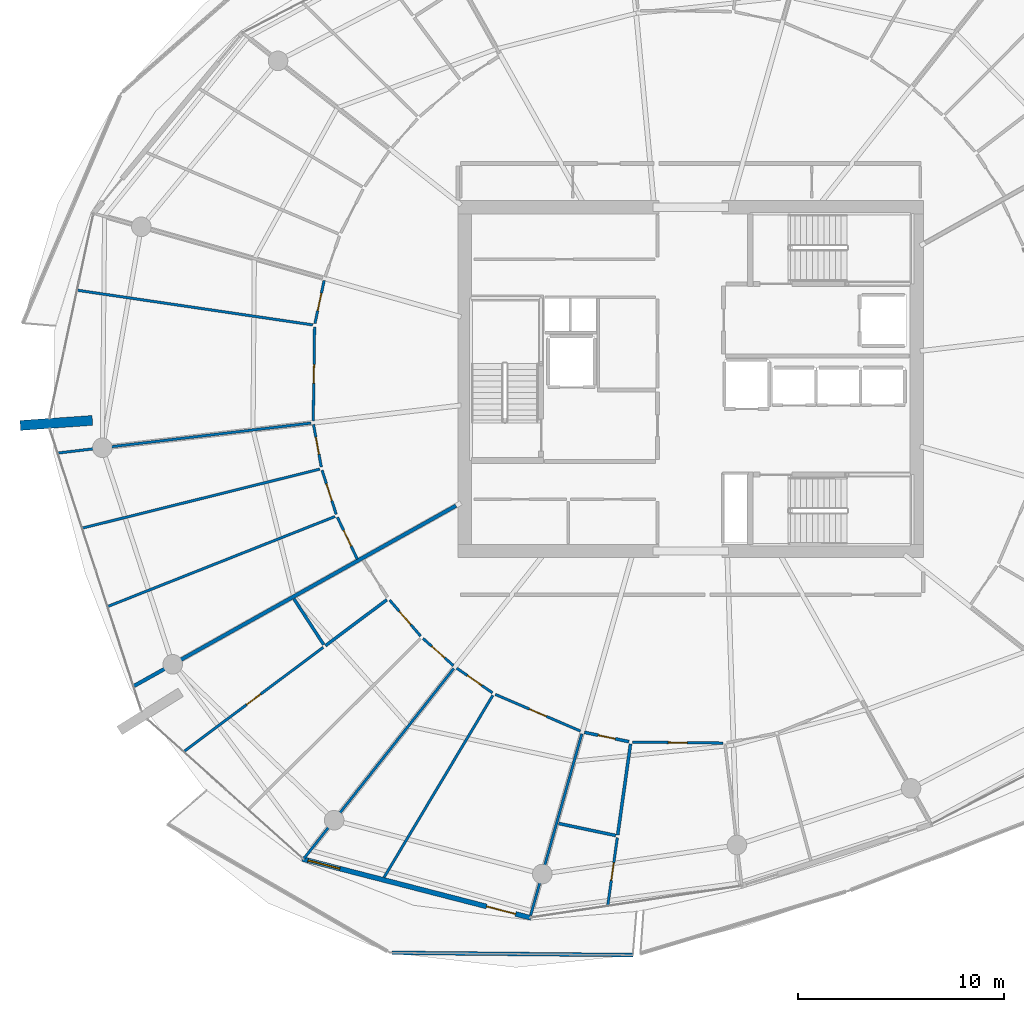
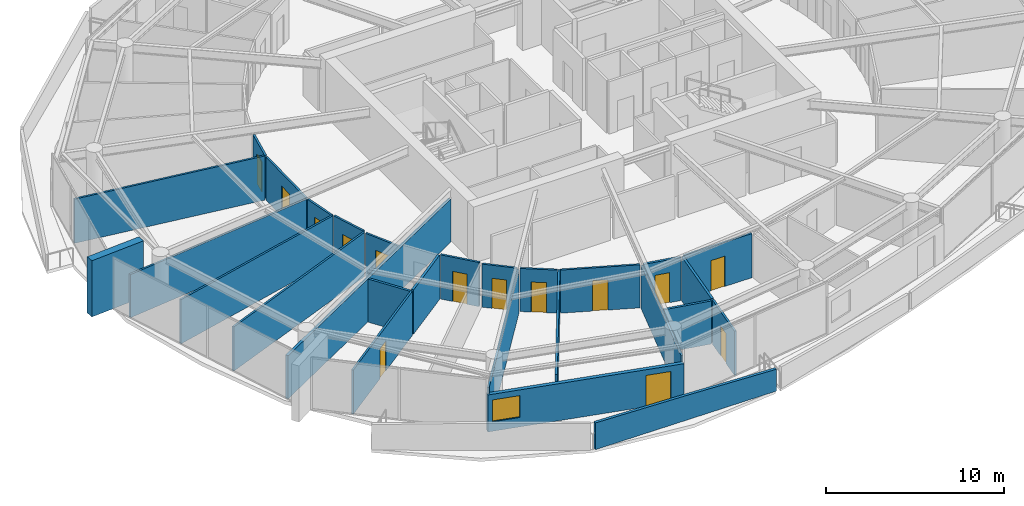
# One storey, part 18 of 30: 28 walls, 14 doors, 1 window, 15 openings.
"""IFC4 building model written with IfcOpenShell, lengths in metres."""

from ifc_helpers import new_model, si_unit, direction, frame, frame_2d, origin, place, context, subcontext, project, spatial, polyline, rectangle, outline, extrude, material, layer, layer_set, type_object, element, fill, save


model = new_model("IFC4")

# Units and contexts
model_context = context("Model", 3, precision=1e-05, world=origin(), true_north=direction((0.0, 1.0)))
body_context = subcontext(model_context, "Body", "Model", "MODEL_VIEW")
ifc_project = project(units=[si_unit("LENGTHUNIT", "METRE"), si_unit("AREAUNIT", "SQUARE_METRE"), si_unit("VOLUMEUNIT", "CUBIC_METRE"), si_unit("PLANEANGLEUNIT", "RADIAN"), si_unit("MASSUNIT", "GRAM", prefix="KILO")], contexts=[model_context])

# Site, building, storey
site_placement = place(None, origin())
site = spatial("IfcSite", under=ifc_project, at=site_placement, CompositionType="ELEMENT")
building_placement = place(site_placement, origin())
building = spatial("IfcBuilding", under=site, at=building_placement, Name="Kazma Halo Residences", CompositionType="ELEMENT")
storey_placement = place(building_placement, frame((0.0, 0.0, 244.39990234375)))
storey = spatial("IfcBuildingStorey", under=building, at=storey_placement, Name="L61", CompositionType="ELEMENT", Elevation=244.39990234375)

# Walls
ifc_material_1 = material(Name="White Concrete C50/60 Balustrade", Category="concrete")
ifc_layer_1 = layer(ifc_material_1, 0.179931640625)
ifc_layer_set_1 = layer_set([ifc_layer_1], Name="White Concrete C50/60 Balustrade")
wall_type_1 = type_object("IfcWallType", Name="WL-BAL-WAVE-180", PredefinedType="PARAPET", material=ifc_layer_set_1)
wall_1_placement = place(storey_placement, frame((33.958740234375, 14.205810546875, 0.0), z_axis=(0.0, 0.0, 1.0), x_axis=(0.999953725113, -0.009620168017, 0.0)))
element("IfcWall", 1, at=wall_1_placement, inside=storey, type_object=wall_type_1, Name="L61 white wave balustrade wall SW.2", PredefinedType="PARAPET", context=body_context, shape_type="SweptSolid", body=[
    extrude(outline(polyline([(0.0, 0.0), (11.673828125, 0.0), (11.673828125, 1.4970703125), (5.8369140625, 1.696044921875), (0.0, 1.83203125), (0.0, 0.0)])), frame((0.0, 0.08984375, 0.0), z_axis=(0.0, -1.0, 0.0), x_axis=(1.0, 0.0, 0.0)), (0.0, 0.0, 1.0), 0.179931640625),
])
ifc_material_2 = material(Name="Pale Concrete C60/75", Category="concrete")
ifc_layer_2 = layer(ifc_material_2, 0.47998046875)
ifc_layer_set_2 = layer_set([ifc_layer_2], Name="Pale Concrete C60/75")
wall_type_2 = type_object("IfcWallType", Name="WL-BLADE-480", PredefinedType="SOLIDWALL", material=ifc_layer_set_2)
wall_2_placement = place(storey_placement, frame((19.4375, 40.002685546875, 0.0), z_axis=(0.0, 0.0, 1.0), x_axis=(-0.997563824095, -0.069759707979, 0.0)))
element("IfcWall", 2, at=wall_2_placement, inside=storey, type_object=wall_type_2, Name="L61 pale concrete structural blade fin wall BW-02", PredefinedType="SOLIDWALL", context=body_context, shape_type="SweptSolid", body=[
    extrude(rectangle(XDim=3.499755859375, YDim=0.47998046875, at=frame_2d((1.75, 0.0))), origin(), (0.0, 0.0, 1.0), 3.85009765625),
])
ifc_material_3 = material(Name="Acoustic Twin-Stud Gypsum")
ifc_layer_3 = layer(ifc_material_3, 0.179931640625)
ifc_layer_set_3 = layer_set([ifc_layer_3], Name="Acoustic Twin-Stud Gypsum")
wall_type_3 = type_object("IfcWallType", Name="WL-DEM-180", PredefinedType="PARTITIONING", material=ifc_layer_set_3)
wall_3_placement = place(storey_placement, frame((37.053955078125, 35.8701171875, 0.0), z_axis=(0.0, 0.0, 1.0), x_axis=(-0.872490186067, -0.488631635506, 0.0)))
element("IfcWall", 3, at=wall_3_placement, inside=storey, type_object=wall_type_3, Name="L61 apartment demising radial wall 08", PredefinedType="PARTITIONING", context=body_context, shape_type="SweptSolid", body=[
    extrude(rectangle(XDim=17.88427734375, YDim=0.179931640625, at=frame_2d((8.942138671875, 0.0))), origin(), (0.0, 0.0, 1.0), 2.95703125),
])

# Wall, openings, door, window
ifc_material_4 = material(Name="Insulated Pale-Metal Composite Wall")
ifc_layer_4 = layer(ifc_material_4, 0.239990234375)
ifc_layer_set_4 = layer_set([ifc_layer_4], Name="Insulated Pale-Metal Composite Wall")
wall_type_4 = type_object("IfcWallType", Name="WL-EXT-HOST-240", PredefinedType="SOLIDWALL", material=ifc_layer_set_4)
wall_4_placement = place(storey_placement, frame((29.613525390625, 18.7509765625, 0.0), z_axis=(0.0, 0.0, 1.0), x_axis=(0.968343758421, -0.249620442927, 0.0)))
wall_4 = element("IfcWall", 4, at=wall_4_placement, inside=storey, type_object=wall_type_4, Name="L61 exterior terrace-access wall B10", PredefinedType="SOLIDWALL", context=body_context, shape_type="SweptSolid", body=[
    extrude(rectangle(XDim=11.438232421875, YDim=0.239990234375, at=frame_2d((5.71923828125, 0.0))), origin(), (0.0, 0.0, 1.0), 2.5400390625),
])
opening_1_placement = place(wall_4_placement, frame((9.21826171875, 0.0, 0.0)))
opening_1 = element("IfcOpeningElement", 5, at=opening_1_placement, cuts=wall_4, Name="Opening DTR-1600", PredefinedType="OPENING", context=body_context, shape_type="SweptSolid", body=[
    extrude(rectangle(XDim=1.449951171875, YDim=2.14990234375, at=frame_2d((0.72509765625, 1.074951171875))), frame((0.0, 0.1298828125, 0.0), z_axis=(0.0, -1.0, 0.0), x_axis=(1.0, 0.0, 0.0)), (0.0, 0.0, 1.0), 0.260009765625),
])
opening_2_placement = place(wall_4_placement, frame((0.280029296875, 0.0, 0.64990234375)))
opening_2 = element("IfcOpeningElement", 6, at=opening_2_placement, cuts=wall_4, Name="Opening W-1800", PredefinedType="OPENING", context=body_context, shape_type="SweptSolid", body=[
    extrude(rectangle(XDim=1.60009765625, YDim=1.5, at=frame_2d((0.800048828125, 0.75))), frame((0.0, 0.1298828125, 0.0), z_axis=(0.0, -1.0, 0.0), x_axis=(1.0, 0.0, 0.0)), (0.0, 0.0, 1.0), 0.260009765625),
])
ifc_material_5 = material(Name="Aluminium AW-6063 T6 Double-Glazed Terrace Door", Category="aluminium")
door_type_1 = type_object("IfcDoorType", Name="DR-EXT-TERR-1600", OperationType="NOTDEFINED", PredefinedType="DOOR", material=ifc_material_5)
door_1_placement = place(opening_1_placement, origin())
door_1 = element("IfcDoor", 7, at=door_1_placement, inside=storey, type_object=door_type_1, Name="L61 B10 balcony terrace door", OperationType="DOUBLE_DOOR_SLIDING", OverallHeight=2.14990234375, OverallWidth=1.449951171875, PredefinedType="DOOR", context=body_context, shape_type="SweptSolid", body=[
    extrude(rectangle(XDim=1.449951171875, YDim=2.14990234375, at=frame_2d((0.72509765625, 1.074951171875))), frame((0.0, 0.02490234375, 0.0), z_axis=(0.0, -1.0, 0.0), x_axis=(1.0, 0.0, 0.0)), (0.0, 0.0, 1.0), 0.050048828125),
])
fill(opening_1, door_1)
ifc_material_6 = material(Name="Clear Triple-Silver Low-E Glass in Aluminium AW-6063 T6 Frame", Category="aluminium")
window_type = type_object("IfcWindowType", Name="WIN-RES-1800", PartitioningType="DOUBLE_PANEL_VERTICAL", PredefinedType="WINDOW", material=ifc_material_6)
window_placement = place(opening_2_placement, origin())
window = element("IfcWindow", 8, at=window_placement, inside=storey, type_object=window_type, Name="L61 B10 apartment window", OverallHeight=1.5, OverallWidth=1.60009765625, PartitioningType="SINGLE_PANEL", PredefinedType="WINDOW", context=body_context, shape_type="SweptSolid", body=[
    extrude(rectangle(XDim=1.60009765625, YDim=1.5, at=frame_2d((0.800048828125, 0.75))), frame((0.0, 0.030029296875, 0.0), z_axis=(0.0, -1.0, 0.0), x_axis=(1.0, 0.0, 0.0)), (0.0, 0.0, 1.0), 0.06005859375),
])
fill(opening_2, window)

# Wall
ifc_material_7 = material(Name="Gypsum Plasterboard Partition")
ifc_layer_5 = layer(ifc_material_7, 0.125)
ifc_layer_set_5 = layer_set([ifc_layer_5], Name="Gypsum Plasterboard Partition")
wall_type_5 = type_object("IfcWallType", Name="WL-PART-125", PredefinedType="PARTITIONING", material=ifc_layer_set_5)
wall_5_placement = place(storey_placement, frame((30.115478515625, 44.63134765625, 0.0), z_axis=(0.0, 0.0, 1.0), x_axis=(-0.989347020715, 0.145576346298, 0.0)))
element("IfcWall", 9, at=wall_5_placement, inside=storey, type_object=wall_type_5, Name="L61 Apartment 1 mid-bay wall 6", PredefinedType="PARTITIONING", context=body_context, shape_type="SweptSolid", body=[
    extrude(rectangle(XDim=11.521484375, YDim=0.125, at=frame_2d((5.7607421875, 0.0))), origin(), (0.0, 0.0, 1.0), 3.030029296875),
])

# Wall, opening, door
wall_6_placement = place(storey_placement, frame((30.66748046875, 46.78466796875, 0.0), z_axis=(0.0, 0.0, 1.0), x_axis=(-0.209005902588, -0.977914379014, 0.0)))
wall_6 = element("IfcWall", 10, at=wall_6_placement, inside=storey, type_object=wall_type_5, Name="L61 Apartment 1 Secondary Wine Pantry Store hall wall", PredefinedType="PARTITIONING", context=body_context, shape_type="SweptSolid", body=[
    extrude(rectangle(XDim=2.13525390625, YDim=0.125, at=frame_2d((1.067626953125, 0.0))), origin(), (0.0, 0.0, 1.0), 2.95703125),
])
opening_3_placement = place(wall_6_placement, frame((0.642578125, 0.0, 0.0)))
opening_3 = element("IfcOpeningElement", 11, at=opening_3_placement, cuts=wall_6, Name="Opening DB-900", PredefinedType="OPENING", context=body_context, shape_type="SweptSolid", body=[
    extrude(rectangle(XDim=0.85009765625, YDim=2.06005859375, at=frame_2d((0.425048828125, 1.030029296875))), frame((0.0, 0.072509765625, 0.0), z_axis=(0.0, -1.0, 0.0), x_axis=(1.0, 0.0, 0.0)), (0.0, 0.0, 1.0), 0.14501953125),
])
ifc_material_8 = material(Name="Moisture-Sealed Timber Leaf", Category="wood")
door_type_2 = type_object("IfcDoorType", Name="DR-BTH-900", OperationType="NOTDEFINED", PredefinedType="DOOR", material=ifc_material_8)
door_2_placement = place(opening_3_placement, origin())
door_2 = element("IfcDoor", 12, at=door_2_placement, inside=storey, type_object=door_type_2, Name="L61 Apartment 1 Secondary Wine Pantry Store door", OperationType="SINGLE_SWING_RIGHT", OverallHeight=2.06005859375, OverallWidth=0.85009765625, PredefinedType="DOOR", context=body_context, shape_type="SweptSolid", body=[
    extrude(rectangle(XDim=0.85009765625, YDim=2.06005859375, at=frame_2d((0.425048828125, 1.030029296875))), frame((0.0, 0.02490234375, 0.0), z_axis=(0.0, -1.0, 0.0), x_axis=(1.0, 0.0, 0.0)), (0.0, 0.0, 1.0), 0.050048828125),
])
fill(opening_3, door_2)

wall_7_placement = place(storey_placement, frame((30.20361328125, 44.538330078125, 0.0), z_axis=(0.0, 0.0, 1.0), x_axis=(-0.014156354672, -0.999899793791, 0.0)))
wall_7 = element("IfcWall", 13, at=wall_7_placement, inside=storey, type_object=wall_type_5, Name="L61 Apartment 1 East Formal Dining Room hall wall", PredefinedType="PARTITIONING", context=body_context, shape_type="SweptSolid", body=[
    extrude(rectangle(XDim=4.552978515625, YDim=0.125, at=frame_2d((2.2763671875, 0.0))), origin(), (0.0, 0.0, 1.0), 2.95703125),
])
opening_4_placement = place(wall_7_placement, frame((1.826416015625, 0.0, 0.0)))
opening_4 = element("IfcOpeningElement", 14, at=opening_4_placement, cuts=wall_7, Name="Opening DI-950", PredefinedType="OPENING", context=body_context, shape_type="SweptSolid", body=[
    extrude(rectangle(XDim=0.89990234375, YDim=2.080078125, at=frame_2d((0.449951171875, 1.0400390625))), frame((0.0, 0.072509765625, 0.0), z_axis=(0.0, -1.0, 0.0), x_axis=(1.0, 0.0, 0.0)), (0.0, 0.0, 1.0), 0.14501953125),
])
ifc_material_9 = material(Name="Timber Veneer Flush Leaf", Category="wood")
door_type_3 = type_object("IfcDoorType", Name="DR-INT-950", OperationType="NOTDEFINED", PredefinedType="DOOR", material=ifc_material_9)
door_3_placement = place(opening_4_placement, origin())
door_3 = element("IfcDoor", 15, at=door_3_placement, inside=storey, type_object=door_type_3, Name="L61 Apartment 1 East Formal Dining Room door", OperationType="SINGLE_SWING_LEFT", OverallHeight=2.080078125, OverallWidth=0.89990234375, PredefinedType="DOOR", context=body_context, shape_type="SweptSolid", body=[
    extrude(rectangle(XDim=0.89990234375, YDim=2.080078125, at=frame_2d((0.449951171875, 1.0400390625))), frame((0.0, 0.02490234375, 0.0), z_axis=(0.0, -1.0, 0.0), x_axis=(1.0, 0.0, 0.0)), (0.0, 0.0, 1.0), 0.050048828125),
])
fill(opening_4, door_3)

# Walls
wall_8_placement = place(storey_placement, frame((30.038330078125, 39.8740234375, 0.0), z_axis=(0.0, 0.0, 1.0), x_axis=(-0.993068810962, -0.117534406428, 0.0)))
element("IfcWall", 16, at=wall_8_placement, inside=storey, type_object=wall_type_5, Name="L61 Apartment 1 radial partition 7", PredefinedType="PARTITIONING", context=body_context, shape_type="SweptSolid", body=[
    extrude(rectangle(XDim=12.342529296875, YDim=0.125, at=frame_2d((6.17138671875, 0.0))), origin(), (0.0, 0.0, 1.0), 2.95703125),
])
wall_9_placement = place(storey_placement, frame((30.456298828125, 37.64208984375, 0.0), z_axis=(0.0, 0.0, 1.0), x_axis=(-0.970505215381, -0.241080125513, 0.0)))
element("IfcWall", 17, at=wall_9_placement, inside=storey, type_object=wall_type_5, Name="L61 Apartment 1 bay wall 1 7", PredefinedType="PARTITIONING", context=body_context, shape_type="SweptSolid", body=[
    extrude(rectangle(XDim=11.842529296875, YDim=0.125, at=frame_2d((5.92138671875, 0.0))), origin(), (0.0, 0.0, 1.0), 3.030029296875),
])
wall_10_placement = place(storey_placement, frame((31.1923828125, 35.345458984375, 0.0), z_axis=(0.0, 0.0, 1.0), x_axis=(-0.929773642051, -0.368131735317, 0.0)))
element("IfcWall", 18, at=wall_10_placement, inside=storey, type_object=wall_type_5, Name="L61 Apartment 1 bay wall 2 7", PredefinedType="PARTITIONING", context=body_context, shape_type="SweptSolid", body=[
    extrude(rectangle(XDim=11.82666015625, YDim=0.125, at=frame_2d((5.913330078125, 0.0))), origin(), (0.0, 0.0, 1.0), 3.030029296875),
])

# Wall, opening, door
wall_11_placement = place(storey_placement, frame((30.152099609375, 39.80712890625, 0.0), z_axis=(0.0, 0.0, 1.0), x_axis=(0.179601937348, -0.983739367973, 0.0)))
wall_11 = element("IfcWall", 19, at=wall_11_placement, inside=storey, type_object=wall_type_5, Name="L61 Apartment 1 West Master Bedroom hall wall", PredefinedType="PARTITIONING", context=body_context, shape_type="SweptSolid", body=[
    extrude(rectangle(XDim=2.098876953125, YDim=0.125, at=frame_2d((1.04931640625, 0.0))), origin(), (0.0, 0.0, 1.0), 2.95703125),
])
opening_5_placement = place(wall_11_placement, frame((0.62451171875, 0.0, 0.0)))
opening_5 = element("IfcOpeningElement", 20, at=opening_5_placement, cuts=wall_11, Name="Opening DB-900", PredefinedType="OPENING", context=body_context, shape_type="SweptSolid", body=[
    extrude(rectangle(XDim=0.85009765625, YDim=2.06005859375, at=frame_2d((0.425048828125, 1.030029296875))), frame((0.0, 0.072509765625, 0.0), z_axis=(0.0, -1.0, 0.0), x_axis=(1.0, 0.0, 0.0)), (0.0, 0.0, 1.0), 0.14501953125),
])
door_4_placement = place(opening_5_placement, origin())
door_4 = element("IfcDoor", 21, at=door_4_placement, inside=storey, type_object=door_type_2, Name="L61 Apartment 1 West Master Bedroom door", OperationType="SINGLE_SWING_RIGHT", OverallHeight=2.06005859375, OverallWidth=0.85009765625, PredefinedType="DOOR", context=body_context, shape_type="SweptSolid", body=[
    extrude(rectangle(XDim=0.85009765625, YDim=2.06005859375, at=frame_2d((0.425048828125, 1.030029296875))), frame((0.0, 0.02490234375, 0.0), z_axis=(0.0, -1.0, 0.0), x_axis=(1.0, 0.0, 0.0)), (0.0, 0.0, 1.0), 0.050048828125),
])
fill(opening_5, door_4)

wall_12_placement = place(storey_placement, frame((30.56787109375, 37.587646484375, 0.0), z_axis=(0.0, 0.0, 1.0), x_axis=(0.305285840617, -0.952260760254, 0.0)))
wall_12 = element("IfcWall", 22, at=wall_12_placement, inside=storey, type_object=wall_type_5, Name="L61 Apartment 1 North Dressing Wardrobe hall wall", PredefinedType="PARTITIONING", context=body_context, shape_type="SweptSolid", body=[
    extrude(rectangle(XDim=2.239990234375, YDim=0.125, at=frame_2d((1.1201171875, 0.0))), origin(), (0.0, 0.0, 1.0), 3.030029296875),
])
opening_6_placement = place(wall_12_placement, frame((0.69482421875, 0.0, 0.0)))
opening_6 = element("IfcOpeningElement", 23, at=opening_6_placement, cuts=wall_12, Name="Opening DB-900", PredefinedType="OPENING", context=body_context, shape_type="SweptSolid", body=[
    extrude(rectangle(XDim=0.85009765625, YDim=2.06005859375, at=frame_2d((0.425048828125, 1.030029296875))), frame((0.0, 0.072509765625, 0.0), z_axis=(0.0, -1.0, 0.0), x_axis=(1.0, 0.0, 0.0)), (0.0, 0.0, 1.0), 0.14501953125),
])
door_5_placement = place(opening_6_placement, origin())
door_5 = element("IfcDoor", 24, at=door_5_placement, inside=storey, type_object=door_type_2, Name="L61 Apartment 1 North Dressing Wardrobe door", OperationType="SINGLE_SWING_LEFT", OverallHeight=2.06005859375, OverallWidth=0.85009765625, PredefinedType="DOOR", context=body_context, shape_type="SweptSolid", body=[
    extrude(rectangle(XDim=0.85009765625, YDim=2.06005859375, at=frame_2d((0.425048828125, 1.030029296875))), frame((0.0, 0.02490234375, 0.0), z_axis=(0.0, -1.0, 0.0), x_axis=(1.0, 0.0, 0.0)), (0.0, 0.0, 1.0), 0.050048828125),
])
fill(opening_6, door_5)

wall_13_placement = place(storey_placement, frame((31.310302734375, 35.30615234375, 0.0), z_axis=(0.0, 0.0, 1.0), x_axis=(0.429468098594, -0.903082029657, 0.0)))
wall_13 = element("IfcWall", 25, at=wall_13_placement, inside=storey, type_object=wall_type_5, Name="L61 Apartment 1 South Master Bedroom hall wall", PredefinedType="PARTITIONING", context=body_context, shape_type="SweptSolid", body=[
    extrude(rectangle(XDim=2.23974609375, YDim=0.125, at=frame_2d((1.119873046875, 0.0))), origin(), (0.0, 0.0, 1.0), 2.95703125),
])
opening_7_placement = place(wall_13_placement, frame((0.69482421875, 0.0, 0.0)))
opening_7 = element("IfcOpeningElement", 26, at=opening_7_placement, cuts=wall_13, Name="Opening DB-900", PredefinedType="OPENING", context=body_context, shape_type="SweptSolid", body=[
    extrude(rectangle(XDim=0.85009765625, YDim=2.06005859375, at=frame_2d((0.425048828125, 1.030029296875))), frame((0.0, 0.072509765625, 0.0), z_axis=(0.0, -1.0, 0.0), x_axis=(1.0, 0.0, 0.0)), (0.0, 0.0, 1.0), 0.14501953125),
])
door_6_placement = place(opening_7_placement, origin())
door_6 = element("IfcDoor", 27, at=door_6_placement, inside=storey, type_object=door_type_2, Name="L61 Apartment 1 South Master Bedroom door", OperationType="SINGLE_SWING_RIGHT", OverallHeight=2.06005859375, OverallWidth=0.85009765625, PredefinedType="DOOR", context=body_context, shape_type="SweptSolid", body=[
    extrude(rectangle(XDim=0.85009765625, YDim=2.06005859375, at=frame_2d((0.425048828125, 1.030029296875))), frame((0.0, 0.02490234375, 0.0), z_axis=(0.0, -1.0, 0.0), x_axis=(1.0, 0.0, 0.0)), (0.0, 0.0, 1.0), 0.050048828125),
])
fill(opening_7, door_6)

wall_14_placement = place(storey_placement, frame((30.623779296875, 29.0068359375, 0.0), z_axis=(0.0, 0.0, 1.0), x_axis=(-0.800861586428, -0.598849496437, 0.0)))
wall_14 = element("IfcWall", 28, at=wall_14_placement, inside=storey, type_object=wall_type_5, Name="L61 Apartment 2 Household Store Room partition wall", PredefinedType="PARTITIONING", context=body_context, shape_type="SweptSolid", body=[
    extrude(rectangle(XDim=8.4248046875, YDim=0.125, at=frame_2d((4.21240234375, 0.0))), origin(), (0.0, 0.0, 1.0), 3.030029296875),
])
opening_8_placement = place(wall_14_placement, frame((3.787353515625, 0.0, 0.0)))
opening_8 = element("IfcOpeningElement", 29, at=opening_8_placement, cuts=wall_14, Name="Opening DB-900", PredefinedType="OPENING", context=body_context, shape_type="SweptSolid", body=[
    extrude(rectangle(XDim=0.85009765625, YDim=2.06005859375, at=frame_2d((0.425048828125, 1.030029296875))), frame((0.0, 0.072509765625, 0.0), z_axis=(0.0, -1.0, 0.0), x_axis=(1.0, 0.0, 0.0)), (0.0, 0.0, 1.0), 0.14501953125),
])
door_7_placement = place(opening_8_placement, origin())
door_7 = element("IfcDoor", 30, at=door_7_placement, inside=storey, type_object=door_type_2, Name="L61 Apartment 2 Household Store Room door", OperationType="SINGLE_SWING_LEFT", OverallHeight=2.06005859375, OverallWidth=0.85009765625, PredefinedType="DOOR", context=body_context, shape_type="SweptSolid", body=[
    extrude(rectangle(XDim=0.85009765625, YDim=2.06005859375, at=frame_2d((0.425048828125, 1.030029296875))), frame((0.0, 0.02490234375, 0.0), z_axis=(0.0, -1.0, 0.0), x_axis=(1.0, 0.0, 0.0)), (0.0, 0.0, 1.0), 0.050048828125),
])
fill(opening_8, door_7)

wall_15_placement = place(storey_placement, frame((33.837890625, 31.298095703125, 0.0), z_axis=(0.0, 0.0, 1.0), x_axis=(0.653278423857, -0.757117758954, 0.0)))
wall_15 = element("IfcWall", 31, at=wall_15_placement, inside=storey, type_object=wall_type_5, Name="L61 Apartment 2 Gourmet Kitchen hall wall", PredefinedType="PARTITIONING", context=body_context, shape_type="SweptSolid", body=[
    extrude(rectangle(XDim=2.308837890625, YDim=0.125, at=frame_2d((1.154296875, 0.0))), origin(), (0.0, 0.0, 1.0), 3.030029296875),
])
opening_9_placement = place(wall_15_placement, frame((0.7294921875, 0.0, 0.0)))
opening_9 = element("IfcOpeningElement", 32, at=opening_9_placement, cuts=wall_15, Name="Opening DB-900", PredefinedType="OPENING", context=body_context, shape_type="SweptSolid", body=[
    extrude(rectangle(XDim=0.85009765625, YDim=2.06005859375, at=frame_2d((0.425048828125, 1.030029296875))), frame((0.0, 0.072509765625, 0.0), z_axis=(0.0, -1.0, 0.0), x_axis=(1.0, 0.0, 0.0)), (0.0, 0.0, 1.0), 0.14501953125),
])
door_8_placement = place(opening_9_placement, origin())
door_8 = element("IfcDoor", 33, at=door_8_placement, inside=storey, type_object=door_type_2, Name="L61 Apartment 2 Gourmet Kitchen door", OperationType="SINGLE_SWING_RIGHT", OverallHeight=2.06005859375, OverallWidth=0.85009765625, PredefinedType="DOOR", context=body_context, shape_type="SweptSolid", body=[
    extrude(rectangle(XDim=0.85009765625, YDim=2.06005859375, at=frame_2d((0.425048828125, 1.030029296875))), frame((0.0, 0.02490234375, 0.0), z_axis=(0.0, -1.0, 0.0), x_axis=(1.0, 0.0, 0.0)), (0.0, 0.0, 1.0), 0.050048828125),
])
fill(opening_9, door_8)

wall_16_placement = place(storey_placement, frame((35.458251953125, 29.436279296875, 0.0), z_axis=(0.0, 0.0, 1.0), x_axis=(0.746255603185, -0.665659503586, 0.0)))
wall_16 = element("IfcWall", 34, at=wall_16_placement, inside=storey, type_object=wall_type_5, Name="L61 Apartment 2 Primary Bedroom hall wall", PredefinedType="PARTITIONING", context=body_context, shape_type="SweptSolid", body=[
    extrude(rectangle(XDim=1.97509765625, YDim=0.125, at=frame_2d((0.987548828125, 0.0))), origin(), (0.0, 0.0, 1.0), 2.95703125),
])
opening_10_placement = place(wall_16_placement, frame((0.5625, 0.0, 0.0)))
opening_10 = element("IfcOpeningElement", 35, at=opening_10_placement, cuts=wall_16, Name="Opening DB-900", PredefinedType="OPENING", context=body_context, shape_type="SweptSolid", body=[
    extrude(rectangle(XDim=0.85009765625, YDim=2.06005859375, at=frame_2d((0.425048828125, 1.030029296875))), frame((0.0, 0.072509765625, 0.0), z_axis=(0.0, -1.0, 0.0), x_axis=(1.0, 0.0, 0.0)), (0.0, 0.0, 1.0), 0.14501953125),
])
door_9_placement = place(opening_10_placement, origin())
door_9 = element("IfcDoor", 36, at=door_9_placement, inside=storey, type_object=door_type_2, Name="L61 Apartment 2 Primary Bedroom door", OperationType="SINGLE_SWING_LEFT", OverallHeight=2.06005859375, OverallWidth=0.85009765625, PredefinedType="DOOR", context=body_context, shape_type="SweptSolid", body=[
    extrude(rectangle(XDim=0.85009765625, YDim=2.06005859375, at=frame_2d((0.425048828125, 1.030029296875))), frame((0.0, 0.02490234375, 0.0), z_axis=(0.0, -1.0, 0.0), x_axis=(1.0, 0.0, 0.0)), (0.0, 0.0, 1.0), 0.050048828125),
])
fill(opening_10, door_9)

# Walls
wall_17_placement = place(storey_placement, frame((36.94482421875, 27.9765625, 0.0), z_axis=(0.0, 0.0, 1.0), x_axis=(-0.619096573209, -0.785314862358, 0.0)))
element("IfcWall", 37, at=wall_17_placement, inside=storey, type_object=wall_type_5, Name="L61 Apartment 2 radial partition 9", PredefinedType="PARTITIONING", context=body_context, shape_type="SweptSolid", body=[
    extrude(rectangle(XDim=11.738525390625, YDim=0.125, at=frame_2d((5.869140625, 0.0))), origin(), (0.0, 0.0, 1.0), 2.95703125),
])
wall_18_placement = place(storey_placement, frame((38.8427734375, 26.681396484375, 0.0), z_axis=(0.0, 0.0, 1.0), x_axis=(-0.513080899873, -0.858340253154, 0.0)))
element("IfcWall", 38, at=wall_18_placement, inside=storey, type_object=wall_type_5, Name="L61 Apartment 2 mid-bay wall 9", PredefinedType="PARTITIONING", context=body_context, shape_type="SweptSolid", body=[
    extrude(rectangle(XDim=10.2822265625, YDim=0.125, at=frame_2d((5.14111328125, 0.0))), origin(), (0.0, 0.0, 1.0), 3.030029296875),
])

# Wall, opening, door
wall_19_placement = place(storey_placement, frame((37.089111328125, 27.998291015625, 0.0), z_axis=(0.0, 0.0, 1.0), x_axis=(0.823534084839, -0.567266790063, 0.0)))
wall_19 = element("IfcWall", 39, at=wall_19_placement, inside=storey, type_object=wall_type_5, Name="L61 Apartment 2 East Wine Pantry Store hall wall", PredefinedType="PARTITIONING", context=body_context, shape_type="SweptSolid", body=[
    extrude(rectangle(XDim=2.10546875, YDim=0.125, at=frame_2d((1.052734375, 0.0))), origin(), (0.0, 0.0, 1.0), 2.95703125),
])
opening_11_placement = place(wall_19_placement, frame((0.627685546875, 0.0, 0.0)))
opening_11 = element("IfcOpeningElement", 40, at=opening_11_placement, cuts=wall_19, Name="Opening DB-900", PredefinedType="OPENING", context=body_context, shape_type="SweptSolid", body=[
    extrude(rectangle(XDim=0.85009765625, YDim=2.06005859375, at=frame_2d((0.425048828125, 1.030029296875))), frame((0.0, 0.072509765625, 0.0), z_axis=(0.0, -1.0, 0.0), x_axis=(1.0, 0.0, 0.0)), (0.0, 0.0, 1.0), 0.14501953125),
])
door_10_placement = place(opening_11_placement, origin())
door_10 = element("IfcDoor", 41, at=door_10_placement, inside=storey, type_object=door_type_2, Name="L61 Apartment 2 East Wine Pantry Store door", OperationType="SINGLE_SWING_LEFT", OverallHeight=2.06005859375, OverallWidth=0.85009765625, PredefinedType="DOOR", context=body_context, shape_type="SweptSolid", body=[
    extrude(rectangle(XDim=0.85009765625, YDim=2.06005859375, at=frame_2d((0.425048828125, 1.030029296875))), frame((0.0, 0.02490234375, 0.0), z_axis=(0.0, -1.0, 0.0), x_axis=(1.0, 0.0, 0.0)), (0.0, 0.0, 1.0), 0.050048828125),
])
fill(opening_11, door_10)

wall_20_placement = place(storey_placement, frame((38.96240234375, 26.726806640625, 0.0), z_axis=(0.0, 0.0, 1.0), x_axis=(0.918384361194, -0.395689480671, 0.0)))
wall_20 = element("IfcWall", 42, at=wall_20_placement, inside=storey, type_object=wall_type_5, Name="L61 Apartment 2 West Formal Dining Room hall wall", PredefinedType="PARTITIONING", context=body_context, shape_type="SweptSolid", body=[
    extrude(rectangle(XDim=4.492431640625, YDim=0.125, at=frame_2d((2.24609375, 0.0))), origin(), (0.0, 0.0, 1.0), 2.95703125),
])
opening_12_placement = place(wall_20_placement, frame((1.796142578125, 0.0, 0.0)))
opening_12 = element("IfcOpeningElement", 43, at=opening_12_placement, cuts=wall_20, Name="Opening DI-950", PredefinedType="OPENING", context=body_context, shape_type="SweptSolid", body=[
    extrude(rectangle(XDim=0.89990234375, YDim=2.080078125, at=frame_2d((0.449951171875, 1.0400390625))), frame((0.0, 0.072509765625, 0.0), z_axis=(0.0, -1.0, 0.0), x_axis=(1.0, 0.0, 0.0)), (0.0, 0.0, 1.0), 0.14501953125),
])
door_11_placement = place(opening_12_placement, origin())
door_11 = element("IfcDoor", 44, at=door_11_placement, inside=storey, type_object=door_type_3, Name="L61 Apartment 2 West Formal Dining Room door", OperationType="SINGLE_SWING_RIGHT", OverallHeight=2.080078125, OverallWidth=0.89990234375, PredefinedType="DOOR", context=body_context, shape_type="SweptSolid", body=[
    extrude(rectangle(XDim=0.89990234375, YDim=2.080078125, at=frame_2d((0.449951171875, 1.0400390625))), frame((0.0, 0.02490234375, 0.0), z_axis=(0.0, -1.0, 0.0), x_axis=(1.0, 0.0, 0.0)), (0.0, 0.0, 1.0), 0.050048828125),
])
fill(opening_12, door_11)

# Wall
wall_21_placement = place(storey_placement, frame((43.15283203125, 24.8134765625, 0.0), z_axis=(0.0, 0.0, 1.0), x_axis=(-0.271434117828, -0.96245702225, 0.0)))
element("IfcWall", 45, at=wall_21_placement, inside=storey, type_object=wall_type_5, Name="L61 Apartment 2 radial partition 10", PredefinedType="PARTITIONING", context=body_context, shape_type="SweptSolid", body=[
    extrude(rectangle(XDim=9.127685546875, YDim=0.125, at=frame_2d((4.56396484375, 0.0))), origin(), (0.0, 0.0, 1.0), 2.95703125),
])

# Wall, opening, door
wall_22_placement = place(storey_placement, frame((44.87353515625, 19.781982421875, 0.0), z_axis=(0.0, 0.0, 1.0), x_axis=(-0.139348495216, -0.990243402846, 0.0)))
wall_22 = element("IfcWall", 46, at=wall_22_placement, inside=storey, type_object=wall_type_5, Name="L61 Apartment 2 South Walk-In Wardrobe partition wall", PredefinedType="PARTITIONING", context=body_context, shape_type="SweptSolid", body=[
    extrude(rectangle(XDim=3.314697265625, YDim=0.125, at=frame_2d((1.6572265625, 0.0))), origin(), (0.0, 0.0, 1.0), 3.030029296875),
])
opening_13_placement = place(wall_22_placement, frame((1.232421875, 0.0, 0.0)))
opening_13 = element("IfcOpeningElement", 47, at=opening_13_placement, cuts=wall_22, Name="Opening DB-900", PredefinedType="OPENING", context=body_context, shape_type="SweptSolid", body=[
    extrude(rectangle(XDim=0.85009765625, YDim=2.06005859375, at=frame_2d((0.425048828125, 1.030029296875))), frame((0.0, 0.072509765625, 0.0), z_axis=(0.0, -1.0, 0.0), x_axis=(1.0, 0.0, 0.0)), (0.0, 0.0, 1.0), 0.14501953125),
])
door_12_placement = place(opening_13_placement, origin())
door_12 = element("IfcDoor", 48, at=door_12_placement, inside=storey, type_object=door_type_2, Name="L61 Apartment 2 South Walk-In Wardrobe door", OperationType="SINGLE_SWING_LEFT", OverallHeight=2.06005859375, OverallWidth=0.85009765625, PredefinedType="DOOR", context=body_context, shape_type="SweptSolid", body=[
    extrude(rectangle(XDim=0.85009765625, YDim=2.06005859375, at=frame_2d((0.425048828125, 1.030029296875))), frame((0.0, 0.02490234375, 0.0), z_axis=(0.0, -1.0, 0.0), x_axis=(1.0, 0.0, 0.0)), (0.0, 0.0, 1.0), 0.050048828125),
])
fill(opening_13, door_12)

wall_23_placement = place(storey_placement, frame((45.615478515625, 24.415283203125, 0.0), z_axis=(0.0, 0.0, 1.0), x_axis=(0.999939484605, -0.011001233021, 0.0)))
wall_23 = element("IfcWall", 49, at=wall_23_placement, inside=storey, type_object=wall_type_5, Name="L61 Apartment 2 Inner Master Bedroom hall wall", PredefinedType="PARTITIONING", context=body_context, shape_type="SweptSolid", body=[
    extrude(rectangle(XDim=4.371826171875, YDim=0.125, at=frame_2d((2.18603515625, 0.0))), origin(), (0.0, 0.0, 1.0), 3.030029296875),
])
opening_14_placement = place(wall_23_placement, frame((1.73583984375, 0.0, 0.0)))
opening_14 = element("IfcOpeningElement", 50, at=opening_14_placement, cuts=wall_23, Name="Opening DI-950", PredefinedType="OPENING", context=body_context, shape_type="SweptSolid", body=[
    extrude(rectangle(XDim=0.89990234375, YDim=2.080078125, at=frame_2d((0.449951171875, 1.0400390625))), frame((0.0, 0.072509765625, 0.0), z_axis=(0.0, -1.0, 0.0), x_axis=(1.0, 0.0, 0.0)), (0.0, 0.0, 1.0), 0.14501953125),
])
door_13_placement = place(opening_14_placement, origin())
door_13 = element("IfcDoor", 51, at=door_13_placement, inside=storey, type_object=door_type_3, Name="L61 Apartment 2 Inner Master Bedroom door", OperationType="SINGLE_SWING_RIGHT", OverallHeight=2.080078125, OverallWidth=0.89990234375, PredefinedType="DOOR", context=body_context, shape_type="SweptSolid", body=[
    extrude(rectangle(XDim=0.89990234375, YDim=2.080078125, at=frame_2d((0.449951171875, 1.0400390625))), frame((0.0, 0.02490234375, 0.0), z_axis=(0.0, -1.0, 0.0), x_axis=(1.0, 0.0, 0.0)), (0.0, 0.0, 1.0), 0.050048828125),
])
fill(opening_14, door_13)

# Walls
ifc_material_10 = material(Name="Moisture-Resistant Gypsum")
ifc_layer_6 = layer(ifc_material_10, 0.14990234375)
ifc_layer_set_6 = layer_set([ifc_layer_6], Name="Moisture-Resistant Gypsum")
wall_type_6 = type_object("IfcWallType", Name="WL-WET-150", PredefinedType="PARTITIONING", material=ifc_layer_set_6)
wall_24_placement = place(storey_placement, frame((29.202392578125, 31.358642578125, 0.0), z_axis=(0.0, 0.0, 1.0), x_axis=(0.544926834082, -0.838483598825, 0.0)))
element("IfcWall", 52, at=wall_24_placement, inside=storey, type_object=wall_type_6, Name="L61 Apartment 2 Guest Bathroom back wall", PredefinedType="PARTITIONING", context=body_context, shape_type="SweptSolid", body=[
    extrude(rectangle(XDim=2.650634765625, YDim=0.14990234375, at=frame_2d((1.3251953125, 0.0))), origin(), (0.0, 0.0, 1.0), 2.95703125),
])
wall_25_placement = place(storey_placement, frame((33.70703125, 31.312255859375, 0.0), z_axis=(0.0, 0.0, 1.0), x_axis=(-0.800889069655, -0.598812740435, 0.0)))
element("IfcWall", 53, at=wall_25_placement, inside=storey, type_object=wall_type_6, Name="L61 Apartment 2 Guest Bathroom side wall", PredefinedType="PARTITIONING", context=body_context, shape_type="SweptSolid", body=[
    extrude(rectangle(XDim=3.719970703125, YDim=0.14990234375, at=frame_2d((1.85986328125, 0.0))), origin(), (0.0, 0.0, 1.0), 3.030029296875),
])

# Wall, opening, door
wall_26_placement = place(storey_placement, frame((43.27783203125, 24.88916015625, 0.0), z_axis=(0.0, 0.0, 1.0), x_axis=(0.978579118273, -0.205871098701, 0.0)))
wall_26 = element("IfcWall", 54, at=wall_26_placement, inside=storey, type_object=wall_type_6, Name="L61 Apartment 2 North En-Suite Bathroom hall wall", PredefinedType="PARTITIONING", context=body_context, shape_type="SweptSolid", body=[
    extrude(rectangle(XDim=2.20703125, YDim=0.14990234375, at=frame_2d((1.103515625, 0.0))), origin(), (0.0, 0.0, 1.0), 2.95703125),
])
opening_15_placement = place(wall_26_placement, frame((0.678466796875, 0.0, 0.0)))
opening_15 = element("IfcOpeningElement", 55, at=opening_15_placement, cuts=wall_26, Name="Opening DB-900", PredefinedType="OPENING", context=body_context, shape_type="SweptSolid", body=[
    extrude(rectangle(XDim=0.85009765625, YDim=2.06005859375, at=frame_2d((0.425048828125, 1.030029296875))), frame((0.0, 0.0849609375, 0.0), z_axis=(0.0, -1.0, 0.0), x_axis=(1.0, 0.0, 0.0)), (0.0, 0.0, 1.0), 0.169921875),
])
door_14_placement = place(opening_15_placement, origin())
door_14 = element("IfcDoor", 56, at=door_14_placement, inside=storey, type_object=door_type_2, Name="L61 Apartment 2 North En-Suite Bathroom door", OperationType="SINGLE_SWING_RIGHT", OverallHeight=2.06005859375, OverallWidth=0.85009765625, PredefinedType="DOOR", context=body_context, shape_type="SweptSolid", body=[
    extrude(rectangle(XDim=0.85009765625, YDim=2.06005859375, at=frame_2d((0.425048828125, 1.030029296875))), frame((0.0, 0.02490234375, 0.0), z_axis=(0.0, -1.0, 0.0), x_axis=(1.0, 0.0, 0.0)), (0.0, 0.0, 1.0), 0.050048828125),
])
fill(opening_15, door_14)

# Walls
wall_27_placement = place(storey_placement, frame((42.031982421875, 20.471435546875, 0.0), z_axis=(0.0, 0.0, 1.0), x_axis=(0.978568110508, -0.20592341561, 0.0)))
element("IfcWall", 57, at=wall_27_placement, inside=storey, type_object=wall_type_6, Name="L61 Apartment 2 North En-Suite Bathroom back wall", PredefinedType="PARTITIONING", context=body_context, shape_type="SweptSolid", body=[
    extrude(rectangle(XDim=2.826416015625, YDim=0.14990234375, at=frame_2d((1.4130859375, 0.0))), origin(), (0.0, 0.0, 1.0), 2.95703125),
])
wall_28_placement = place(storey_placement, frame((45.51318359375, 24.3271484375, 0.0), z_axis=(0.0, 0.0, 1.0), x_axis=(-0.139367219172, -0.990240767804, 0.0)))
element("IfcWall", 58, at=wall_28_placement, inside=storey, type_object=wall_type_6, Name="L61 Apartment 2 North En-Suite Bathroom side wall", PredefinedType="PARTITIONING", context=body_context, shape_type="SweptSolid", body=[
    extrude(rectangle(XDim=4.4599609375, YDim=0.14990234375, at=frame_2d((2.22998046875, 0.0))), origin(), (0.0, 0.0, 1.0), 3.030029296875),
])

save(model, "model.ifc")
